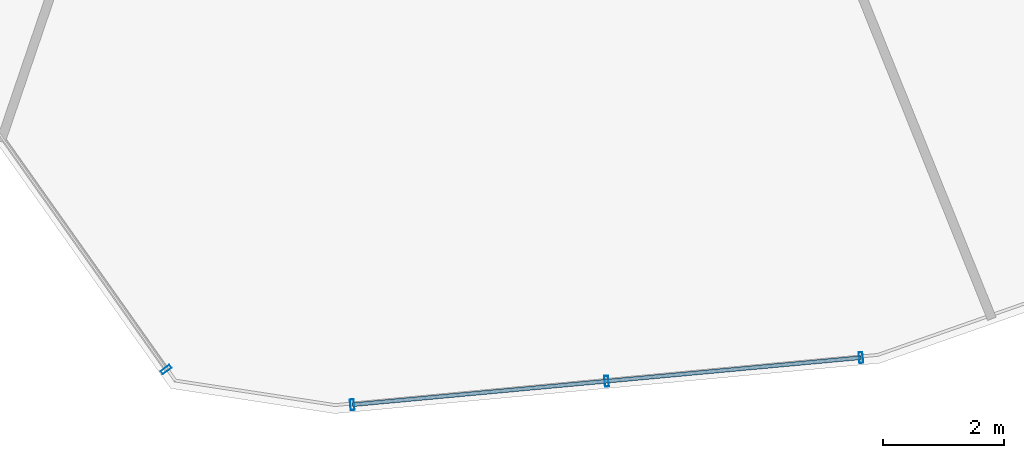
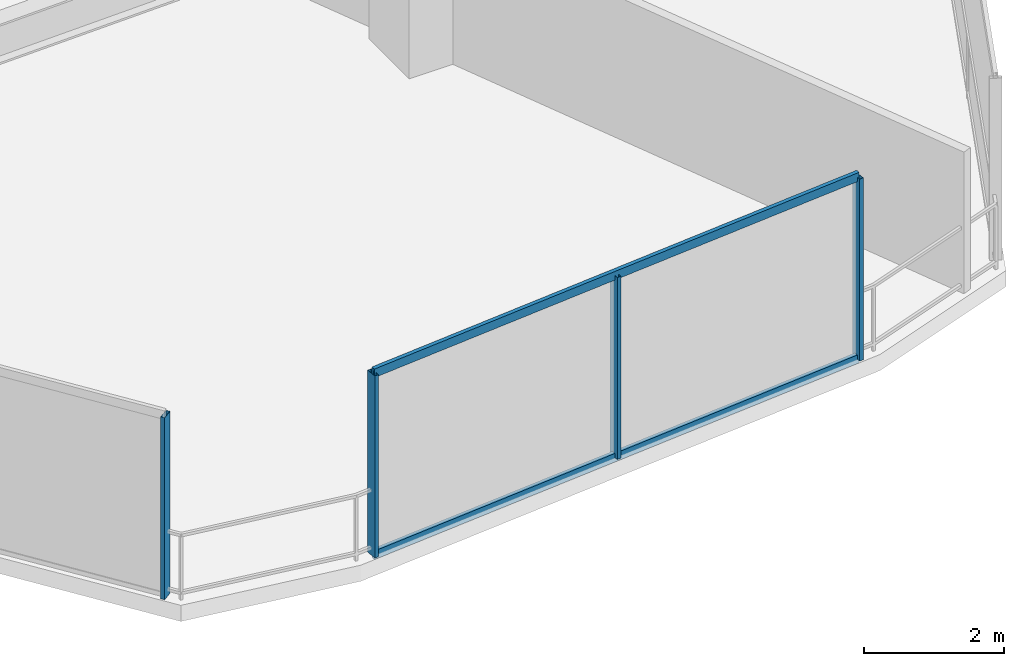
# One storey, part 4 of 30: 6 members, 2 elements without a shape of their own.
"""IFC4 building model written with IfcOpenShell, lengths in metres."""

from ifc_helpers import new_model, si_unit, direction, frame, origin, origin_2d, place, context, subcontext, project, spatial, hollow_rectangle, extrude, material, layer, layer_set, material_profile, profile_set, type_object, element, aggregate, save


model = new_model("IFC4")

# Units and contexts
model_context = context("Model", 3, precision=1e-05, world=origin(), true_north=direction((0.0, 1.0)))
body_context = subcontext(model_context, "Body", "Model", "MODEL_VIEW")
ifc_project = project(units=[si_unit("LENGTHUNIT", "METRE"), si_unit("AREAUNIT", "SQUARE_METRE"), si_unit("VOLUMEUNIT", "CUBIC_METRE"), si_unit("PLANEANGLEUNIT", "RADIAN"), si_unit("MASSUNIT", "GRAM", prefix="KILO")], contexts=[model_context])

# Site, building, storey
site_placement = place(None, origin())
site = spatial("IfcSite", under=ifc_project, at=site_placement, CompositionType="ELEMENT")
building_placement = place(site_placement, origin())
building = spatial("IfcBuilding", under=site, at=building_placement, Name="Qarnah Convention Tower", CompositionType="ELEMENT")
storey_placement = place(building_placement, frame((0.0, 0.0, 86.699951171875)))
storey = spatial("IfcBuildingStorey", under=building, at=storey_placement, Name="L22", CompositionType="ELEMENT", Elevation=86.699951171875)

# Curtain wall, member
ifc_material_1 = material(Name="Tempered Low-E dark glass", Category="glass")
ifc_layer = layer(ifc_material_1, 0.169921875)
ifc_layer_set = layer_set([ifc_layer], Name="Tempered Low-E dark glass")
curtain_wall_type = type_object("IfcCurtainWallType", Name="CWS-02", PredefinedType="NOTDEFINED", material=ifc_layer_set)
curtain_wall_1_placement = place(storey_placement, origin())
curtain_wall_1 = element("IfcCurtainWall", 1, at=curtain_wall_1_placement, inside=storey, type_object=curtain_wall_type, Name="L22 unitised curtain wall CW-L22-F2", PredefinedType="NOTDEFINED")
ifc_material_2 = material(Name="Black anodised aluminium", Category="aluminium")
ifc_material_profile_1 = material_profile(ifc_material_2, hollow_rectangle(XDim=0.06494140625, YDim=0.179931640625, WallThickness=0.00390625, at=origin_2d()), Name="MUL-65X180")
ifc_profile_set_1 = profile_set([ifc_material_profile_1], Name="Black anodised aluminium")
member_type_1 = type_object("IfcMemberType", Name="MUL-T2", PredefinedType="MULLION", material=ifc_profile_set_1)
member_1_placement = place(storey_placement, frame((33.0400390625, 1.910888671875, 0.0), z_axis=(0.0, 0.0, 1.0), x_axis=(-0.57758672318, 0.81632933134, 0.0)))
member_1 = element("IfcMember", 2, at=member_1_placement, type_object=member_type_1, Name="CW-L22-F2 mullion 1", PredefinedType="MULLION", context=body_context, shape_type="SweptSolid", body=[
    extrude(hollow_rectangle(XDim=0.06494140625, YDim=0.179931640625, WallThickness=0.00390625, at=origin_2d()), origin(), (0.0, 0.0, 1.0), 3.170166015625),
])
aggregate(curtain_wall_1, [member_1])

# Curtain wall, members
curtain_wall_2_placement = place(storey_placement, origin())
curtain_wall_2 = element("IfcCurtainWall", 3, at=curtain_wall_2_placement, inside=storey, type_object=curtain_wall_type, Name="L22 unitised curtain wall CW-L22-F4", PredefinedType="NOTDEFINED")
member_2_placement = place(storey_placement, frame((44.568115234375, 2.10693359375, 0.0), z_axis=(0.0, 0.0, 1.0), x_axis=(-0.995746888317, -0.092131071886, 0.0)))
member_2 = element("IfcMember", 4, at=member_2_placement, type_object=member_type_1, Name="CW-L22-F4 mullion 1", PredefinedType="MULLION", context=body_context, shape_type="SweptSolid", body=[
    extrude(hollow_rectangle(XDim=0.06494140625, YDim=0.179931640625, WallThickness=0.00390625, at=origin_2d()), origin(), (0.0, 0.0, 1.0), 3.170166015625),
])
member_3_placement = place(storey_placement, frame((40.347412109375, 1.716552734375, 0.0), z_axis=(0.0, 0.0, 1.0), x_axis=(-0.995746888317, -0.092131071886, 0.0)))
member_3 = element("IfcMember", 5, at=member_3_placement, type_object=member_type_1, Name="CW-L22-F4 mullion 2", PredefinedType="MULLION", context=body_context, shape_type="SweptSolid", body=[
    extrude(hollow_rectangle(XDim=0.06494140625, YDim=0.179931640625, WallThickness=0.00390625, at=origin_2d()), origin(), (0.0, 0.0, 1.0), 3.170166015625),
])
member_4_placement = place(storey_placement, frame((36.126953125, 1.325927734375, 0.0), z_axis=(0.0, 0.0, 1.0), x_axis=(-0.995746888317, -0.092131071886, 0.0)))
member_4 = element("IfcMember", 6, at=member_4_placement, type_object=member_type_1, Name="CW-L22-F4 mullion 3", PredefinedType="MULLION", context=body_context, shape_type="SweptSolid", body=[
    extrude(hollow_rectangle(XDim=0.06494140625, YDim=0.179931640625, WallThickness=0.00390625, at=origin_2d()), origin(), (0.0, 0.0, 1.0), 3.170166015625),
])
ifc_material_profile_2 = material_profile(ifc_material_2, hollow_rectangle(XDim=0.06494140625, YDim=0.14990234375, WallThickness=0.00390625, at=origin_2d()), Name="TRN-65X150")
ifc_profile_set_2 = profile_set([ifc_material_profile_2], Name="Black anodised aluminium")
member_type_2 = type_object("IfcMemberType", Name="TRN-T2", PredefinedType="USERDEFINED", material=ifc_profile_set_2)
member_5_placement = place(storey_placement, frame((44.568115234375, 2.10693359375, 0.0), z_axis=(-0.995746987856, -0.092129996071, 0.0), x_axis=(0.092129996071, -0.995746987856, 0.0)))
member_5 = element("IfcMember", 7, at=member_5_placement, type_object=member_type_2, Name="CW-L22-F4 transom 1", ObjectType="TRANSOM", PredefinedType="USERDEFINED", context=body_context, shape_type="SweptSolid", body=[
    extrude(hollow_rectangle(XDim=0.06494140625, YDim=0.14990234375, WallThickness=0.00390625, at=origin_2d()), origin(), (0.0, 0.0, 1.0), 8.477294921875),
])
member_6_placement = place(storey_placement, frame((44.568115234375, 2.10693359375, 3.170166015625), z_axis=(-0.995746987856, -0.092129996071, 0.0), x_axis=(0.092129996071, -0.995746987856, 0.0)))
member_6 = element("IfcMember", 8, at=member_6_placement, type_object=member_type_2, Name="CW-L22-F4 transom 2", ObjectType="TRANSOM", PredefinedType="USERDEFINED", context=body_context, shape_type="SweptSolid", body=[
    extrude(hollow_rectangle(XDim=0.06494140625, YDim=0.14990234375, WallThickness=0.00390625, at=origin_2d()), origin(), (0.0, 0.0, 1.0), 8.477294921875),
])
aggregate(curtain_wall_2, [member_2, member_3, member_4, member_5, member_6])

save(model, "model.ifc")
